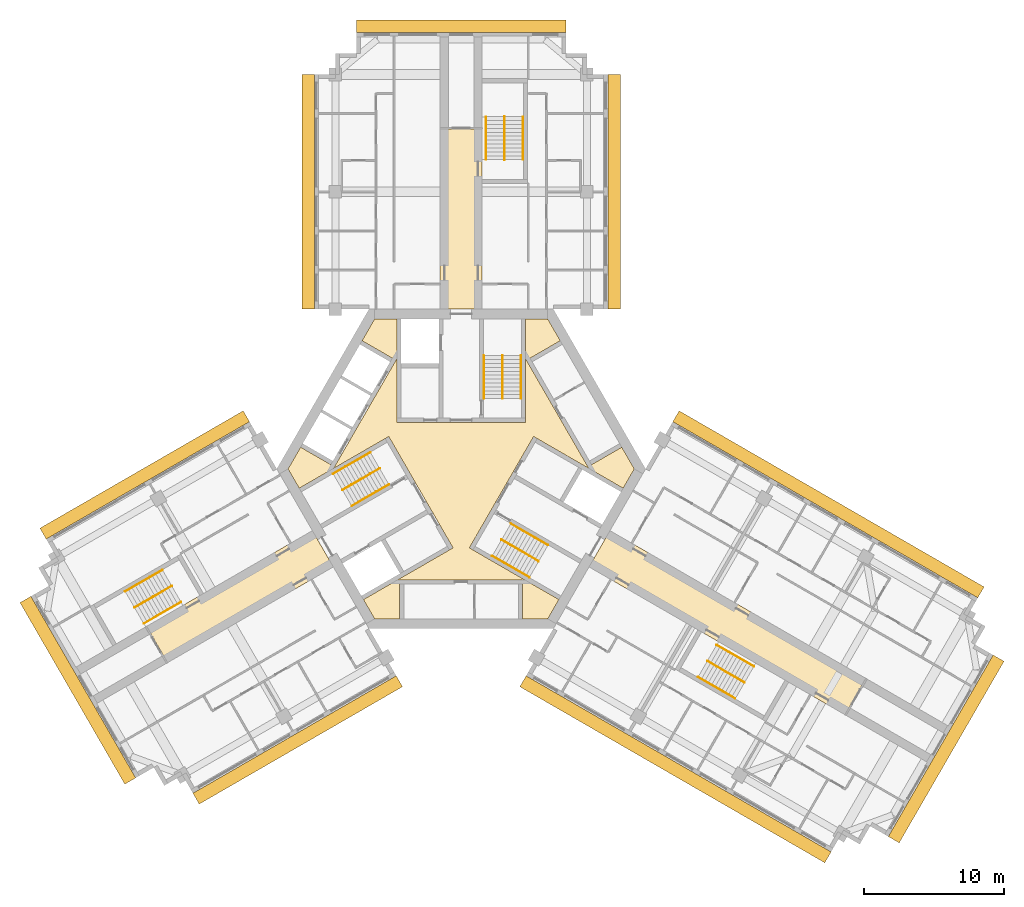
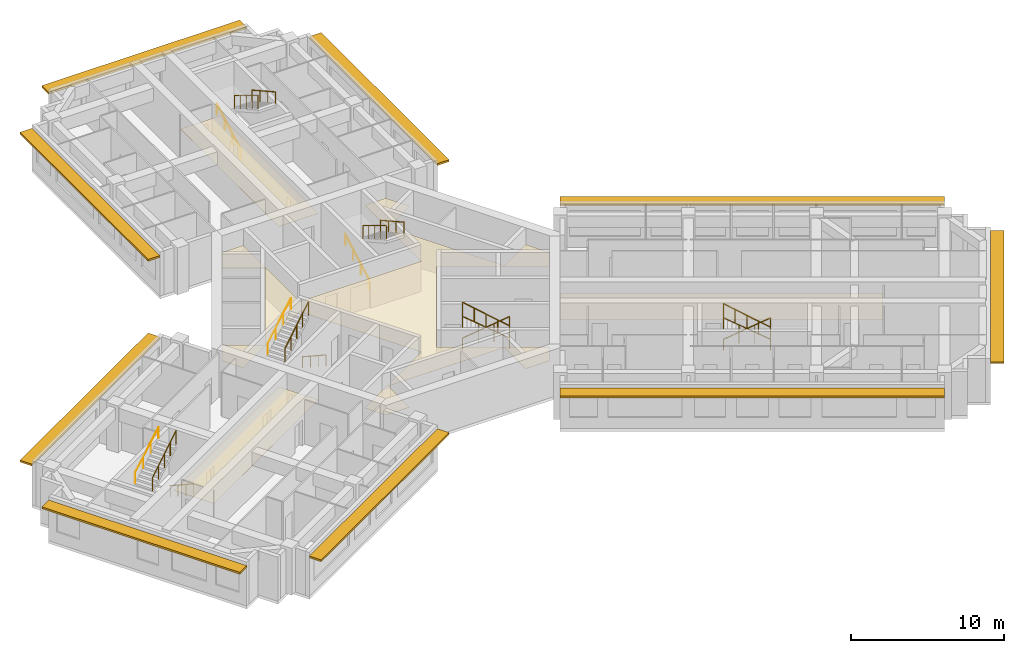
# One storey, part 11 of 11: 18 railings, 4 coverings, 3 shading devices.
"""IFC4 building model written with IfcOpenShell, lengths in metres."""

from ifc_helpers import new_model, si_unit, direction, frame, origin, origin_2d, place, context, subcontext, project, spatial, polyline, rectangle, circle, outline, extrude, material, layer, layer_set, type_object, element, save


model = new_model("IFC4")

# Units and contexts
model_context = context("Model", 3, precision=1e-05, world=origin(), true_north=direction((0.0, 1.0)))
body_context = subcontext(model_context, "Body", "Model", "MODEL_VIEW")
ifc_project = project(units=[si_unit("LENGTHUNIT", "METRE"), si_unit("AREAUNIT", "SQUARE_METRE"), si_unit("VOLUMEUNIT", "CUBIC_METRE"), si_unit("PLANEANGLEUNIT", "RADIAN"), si_unit("MASSUNIT", "GRAM", prefix="KILO")], contexts=[model_context])

# Site, building, storey
site_placement = place(None, origin())
site = spatial("IfcSite", under=ifc_project, at=site_placement, CompositionType="ELEMENT")
building_placement = place(site_placement, origin())
building = spatial("IfcBuilding", under=site, at=building_placement, Name="Impinga Residences", CompositionType="ELEMENT")
storey_placement = place(building_placement, frame((0.0, 0.0, 244.75)))
storey = spatial("IfcBuildingStorey", under=building, at=storey_placement, Name="L61", CompositionType="ELEMENT", Elevation=244.75)

# Coverings
ifc_material_1 = material(Name="Plasterboard 15 mm on steel hangers", Category="steel")
ifc_layer_1 = layer(ifc_material_1, 0.014892578125)
ifc_layer_set_1 = layer_set([ifc_layer_1], Name="Plasterboard 15 mm on steel hangers")
covering_type_1 = type_object("IfcCoveringType", Name="CL1 corridor ceiling, 15 mm plasterboard on hangers", PredefinedType="CEILING", material=ifc_layer_set_1)
covering_1_placement = place(storey_placement, frame((0.0, 0.0, 2.39990234375)))
element("IfcCovering", 1, at=covering_1_placement, inside=storey, type_object=covering_type_1, Name="Corridor ceiling CL1 L61-N00", PredefinedType="CEILING", context=body_context, shape_type="SweptSolid", body=[
    extrude(outline(polyline([(-1.5, 11.431640625), (1.5, 11.431640625), (1.5, 24.33154296875), (-1.5, 24.33154296875), (-1.5, 11.431640625)])), origin(), (0.0, 0.0, 1.0), 0.01513671875),
])
covering_2_placement = place(storey_placement, frame((0.0, 0.0, 2.39990234375)))
element("IfcCovering", 2, at=covering_2_placement, inside=storey, type_object=covering_type_1, Name="Corridor ceiling CL1 L61-W00", PredefinedType="CEILING", context=body_context, shape_type="SweptSolid", body=[
    extrude(outline(polyline([(-9.14990234375, -7.014892578125), (-10.64990234375, -4.416748046875), (-22.5146484375, -11.266845703125), (-21.0146484375, -13.86474609375), (-9.14990234375, -7.014892578125)])), origin(), (0.0, 0.0, 1.0), 0.01513671875),
])
covering_3_placement = place(storey_placement, frame((0.0, 0.0, 2.39990234375)))
element("IfcCovering", 3, at=covering_3_placement, inside=storey, type_object=covering_type_1, Name="Corridor ceiling CL1 L61-E00", PredefinedType="CEILING", context=body_context, shape_type="SweptSolid", body=[
    extrude(outline(polyline([(10.64990234375, -4.416748046875), (9.14990234375, -7.014892578125), (27.466552734375, -17.58984375), (28.966552734375, -14.99169921875), (10.64990234375, -4.416748046875)])), origin(), (0.0, 0.0, 1.0), 0.01513671875),
])
ifc_material_2 = material(Name="Mineral fibre tiles 20 mm on exposed grid", Category="mineral fibre")
ifc_layer_2 = layer(ifc_material_2, 0.02001953125)
ifc_layer_set_2 = layer_set([ifc_layer_2], Name="CL2 lift lobby ceiling, 20 mm mineral fibre tiles")
covering_type_2 = type_object("IfcCoveringType", Name="CL2 lift lobby ceiling, 20 mm mineral fibre tiles", PredefinedType="CEILING", material=ifc_layer_set_2)
covering_4_placement = place(storey_placement, frame((0.0, 0.0, 2.39990234375)))
element("IfcCovering", 4, at=covering_4_placement, inside=storey, type_object=covering_type_2, Name="Lift lobby ceiling CL2 L61-C01", PredefinedType="CEILING", context=body_context, shape_type="SweptSolid", body=[
    extrude(outline(polyline([(12.3916015625, 0.0), (11.59375, -1.382080078125), (5.183837890625, 2.318603515625), (0.583984375, -5.648681640625), (6.993896484375, -9.349365234375), (6.19580078125, -10.7314453125), (4.39990234375, -10.7314453125), (4.39990234375, -7.931640625), (-4.39990234375, -7.931640625), (-4.39990234375, -10.7314453125), (-6.19580078125, -10.7314453125), (-6.993896484375, -9.349365234375), (-0.583984375, -5.648681640625), (-5.183837890625, 2.318603515625), (-11.59375, -1.382080078125), (-12.3916015625, 0.0), (-11.493896484375, 1.55517578125), (-9.06884765625, 0.1552734375), (-4.6689453125, 7.7763671875), (-7.09375, 9.17626953125), (-6.19580078125, 10.7314453125), (-4.60009765625, 10.7314453125), (-4.60009765625, 3.330078125), (4.60009765625, 3.330078125), (4.60009765625, 10.7314453125), (6.19580078125, 10.7314453125), (7.09375, 9.17626953125), (4.6689453125, 7.7763671875), (9.06884765625, 0.1552734375), (11.493896484375, 1.55517578125), (12.3916015625, 0.0)])), origin(), (0.0, 0.0, 1.0), 0.02001953125),
])

# Railings
ifc_material_3 = material(Name="Steel guard, powder coated", Category="steel")
railing_type_1 = type_object("IfcRailingType", Name="GR1 stair guard 1100", PredefinedType="GUARDRAIL", material=ifc_material_3)
railing_1_placement = place(storey_placement, frame((2.949951171875, 8.110107421875, 1.875)))
element("IfcRailing", 5, at=railing_1_placement, inside=storey, type_object=railing_type_1, Name="Stair guard GR1 ST1 L61", PredefinedType="GUARDRAIL", context=body_context, shape_type="SweptSolid", body=[
    extrude(circle(Radius=0.02392578125, at=origin_2d()), frame((0.0, 0.0, 1.076171875), z_axis=(0.0, -0.854177636135, 0.519981313056), x_axis=(1.0, 0.0, 0.0)), (0.0, 0.0, 1.0), 3.60595703125),
    extrude(circle(Radius=0.02099609375, at=origin_2d()), origin(), (0.0, 0.0, 1.0), 1.052001953125),
    extrude(circle(Radius=0.02099609375, at=origin_2d()), frame((0.0, -0.77001953125, 0.46875)), (0.0, 0.0, 1.0), 1.052001953125),
    extrude(circle(Radius=0.02099609375, at=origin_2d()), frame((0.0, -1.5400390625, 0.9375)), (0.0, 0.0, 1.0), 1.052001953125),
    extrude(circle(Radius=0.02099609375, at=origin_2d()), frame((0.0, -2.31005859375, 1.40625)), (0.0, 0.0, 1.0), 1.052001953125),
    extrude(circle(Radius=0.02099609375, at=origin_2d()), frame((0.0, -3.080078125, 1.875)), (0.0, 0.0, 1.0), 1.052001953125),
])
railing_2_placement = place(storey_placement, frame((-8.49853515625, -1.500244140625, 1.875)))
element("IfcRailing", 6, at=railing_2_placement, inside=storey, type_object=railing_type_1, Name="Stair guard GR1 ST2 L61", PredefinedType="GUARDRAIL", context=body_context, shape_type="SweptSolid", body=[
    extrude(circle(Radius=0.02392578125, at=origin_2d()), frame((0.0, 0.0, 1.076171875), z_axis=(0.739746383972, 0.427084037168, 0.519975492303), x_axis=(-0.499992328818, 0.866029832698, 0.0)), (0.0, 0.0, 1.0), 3.60595703125),
    extrude(circle(Radius=0.02099609375, at=origin_2d()), origin(), (0.0, 0.0, 1.0), 1.052001953125),
    extrude(circle(Radius=0.02099609375, at=origin_2d()), frame((0.6669921875, 0.385009765625, 0.46875)), (0.0, 0.0, 1.0), 1.052001953125),
    extrude(circle(Radius=0.02099609375, at=origin_2d()), frame((1.333740234375, 0.77001953125, 0.9375)), (0.0, 0.0, 1.0), 1.052001953125),
    extrude(circle(Radius=0.02099609375, at=origin_2d()), frame((2.00048828125, 1.155029296875, 1.40625)), (0.0, 0.0, 1.0), 1.052001953125),
    extrude(circle(Radius=0.02099609375, at=origin_2d()), frame((2.66748046875, 1.5400390625, 1.875)), (0.0, 0.0, 1.0), 1.052001953125),
])
railing_3_placement = place(storey_placement, frame((5.548583984375, -6.60986328125, 1.875)))
element("IfcRailing", 7, at=railing_3_placement, inside=storey, type_object=railing_type_1, Name="Stair guard GR1 ST3 L61", PredefinedType="GUARDRAIL", context=body_context, shape_type="SweptSolid", body=[
    extrude(circle(Radius=0.02392578125, at=origin_2d()), frame((0.0, 0.0, 1.076171875), z_axis=(-0.739746383972, 0.427084037168, 0.519975492303), x_axis=(-0.499992328818, -0.866029832698, 0.0)), (0.0, 0.0, 1.0), 3.60595703125),
    extrude(circle(Radius=0.02099609375, at=origin_2d()), origin(), (0.0, 0.0, 1.0), 1.052001953125),
    extrude(circle(Radius=0.02099609375, at=origin_2d()), frame((-0.6669921875, 0.385009765625, 0.46875)), (0.0, 0.0, 1.0), 1.052001953125),
    extrude(circle(Radius=0.02099609375, at=origin_2d()), frame((-1.333740234375, 0.77001953125, 0.9375)), (0.0, 0.0, 1.0), 1.052001953125),
    extrude(circle(Radius=0.02099609375, at=origin_2d()), frame((-2.00048828125, 1.155029296875, 1.40625)), (0.0, 0.0, 1.0), 1.052001953125),
    extrude(circle(Radius=0.02099609375, at=origin_2d()), frame((-2.66748046875, 1.5400390625, 1.875)), (0.0, 0.0, 1.0), 1.052001953125),
])
railing_4_placement = place(storey_placement, frame((3.10009765625, 25.21142578125, 1.875)))
element("IfcRailing", 8, at=railing_4_placement, inside=storey, type_object=railing_type_1, Name="Stair guard GR1 WS1 L61", PredefinedType="GUARDRAIL", context=body_context, shape_type="SweptSolid", body=[
    extrude(circle(Radius=0.02392578125, at=origin_2d()), frame((0.0, 0.0, 1.076171875), z_axis=(0.0, -0.854159328187, 0.520011386482), x_axis=(1.0, 0.0, 0.0)), (0.0, 0.0, 1.0), 3.605712890625),
    extrude(circle(Radius=0.02099609375, at=origin_2d()), origin(), (0.0, 0.0, 1.0), 1.052001953125),
    extrude(circle(Radius=0.02099609375, at=origin_2d()), frame((0.0, -0.77001953125, 0.46875)), (0.0, 0.0, 1.0), 1.052001953125),
    extrude(circle(Radius=0.02099609375, at=origin_2d()), frame((0.0, -1.5400390625, 0.9375)), (0.0, 0.0, 1.0), 1.052001953125),
    extrude(circle(Radius=0.02099609375, at=origin_2d()), frame((0.0, -2.309814453125, 1.40625)), (0.0, 0.0, 1.0), 1.052001953125),
    extrude(circle(Radius=0.02099609375, at=origin_2d()), frame((0.0, -3.079833984375, 1.875)), (0.0, 0.0, 1.0), 1.052001953125),
])
railing_5_placement = place(storey_placement, frame((-23.3837890625, -9.921142578125, 1.875)))
element("IfcRailing", 9, at=railing_5_placement, inside=storey, type_object=railing_type_1, Name="Stair guard GR1 WS2 L61", PredefinedType="GUARDRAIL", context=body_context, shape_type="SweptSolid", body=[
    extrude(circle(Radius=0.02392578125, at=origin_2d()), frame((0.0, 0.0, 1.076171875), z_axis=(0.739715726454, 0.427105428144, 0.52000153585), x_axis=(-0.500026652407, 0.866010015463, 0.0)), (0.0, 0.0, 1.0), 3.605712890625),
    extrude(circle(Radius=0.02099609375, at=origin_2d()), origin(), (0.0, 0.0, 1.0), 1.052001953125),
    extrude(circle(Radius=0.02099609375, at=origin_2d()), frame((0.666748046875, 0.385009765625, 0.46875)), (0.0, 0.0, 1.0), 1.052001953125),
    extrude(circle(Radius=0.02099609375, at=origin_2d()), frame((1.33349609375, 0.77001953125, 0.9375)), (0.0, 0.0, 1.0), 1.052001953125),
    extrude(circle(Radius=0.02099609375, at=origin_2d()), frame((2.00048828125, 1.155029296875, 1.40625)), (0.0, 0.0, 1.0), 1.052001953125),
    extrude(circle(Radius=0.02099609375, at=origin_2d()), frame((2.667236328125, 1.5400390625, 1.875)), (0.0, 0.0, 1.0), 1.052001953125),
])
railing_6_placement = place(storey_placement, frame((20.283935546875, -15.29052734375, 1.875)))
element("IfcRailing", 10, at=railing_6_placement, inside=storey, type_object=railing_type_1, Name="Stair guard GR1 WS3 L61", PredefinedType="GUARDRAIL", context=body_context, shape_type="SweptSolid", body=[
    extrude(circle(Radius=0.02392578125, at=origin_2d()), frame((0.0, 0.0, 1.076171875), z_axis=(-0.739746383972, 0.427084037168, 0.519975492303), x_axis=(-0.499992328818, -0.866029832698, 0.0)), (0.0, 0.0, 1.0), 3.60595703125),
    extrude(circle(Radius=0.02099609375, at=origin_2d()), origin(), (0.0, 0.0, 1.0), 1.052001953125),
    extrude(circle(Radius=0.02099609375, at=origin_2d()), frame((-0.6669921875, 0.385009765625, 0.46875)), (0.0, 0.0, 1.0), 1.052001953125),
    extrude(circle(Radius=0.02099609375, at=origin_2d()), frame((-1.333740234375, 0.77001953125, 0.9375)), (0.0, 0.0, 1.0), 1.052001953125),
    extrude(circle(Radius=0.02099609375, at=origin_2d()), frame((-2.00048828125, 1.155029296875, 1.40625)), (0.0, 0.0, 1.0), 1.052001953125),
    extrude(circle(Radius=0.02099609375, at=origin_2d()), frame((-2.66748046875, 1.5400390625, 1.875)), (0.0, 0.0, 1.0), 1.052001953125),
])
ifc_material_4 = material(Name="Steel handrail tube 42 mm, powder coated", Category="steel")
railing_type_2 = type_object("IfcRailingType", Name="HR1 stair handrail, 42 mm steel tube, 900 above the pitch line", PredefinedType="HANDRAIL", material=ifc_material_4)
railing_7_placement = place(storey_placement, frame((1.62109375, 5.030029296875, 0.15625)))
element("IfcRailing", 11, at=railing_7_placement, inside=storey, type_object=railing_type_2, Name="Stair handrail HR1 ST1 L61", PredefinedType="HANDRAIL", context=body_context, shape_type="SweptSolid", body=[
    extrude(circle(Radius=0.02099609375, at=origin_2d()), frame((0.0, 0.0, 0.87890625), z_axis=(0.0, 0.873241540666, 0.487287606713), x_axis=(-1.0, 0.0, 0.0)), (0.0, 0.0, 1.0), 3.527099609375),
    extrude(circle(Radius=0.012451171875, at=origin_2d()), origin(), (0.0, 0.0, 1.0), 0.85791015625),
    extrude(circle(Radius=0.012451171875, at=origin_2d()), frame((0.0, 1.026611328125, 0.572998046875)), (0.0, 0.0, 1.0), 0.85791015625),
    extrude(circle(Radius=0.012451171875, at=origin_2d()), frame((0.0, 2.053466796875, 1.145751953125)), (0.0, 0.0, 1.0), 0.85791015625),
    extrude(circle(Radius=0.012451171875, at=origin_2d()), frame((0.0, 3.080078125, 1.71875)), (0.0, 0.0, 1.0), 0.85791015625),
])
railing_8_placement = place(storey_placement, frame((4.279052734375, 8.110107421875, 2.03125)))
element("IfcRailing", 12, at=railing_8_placement, inside=storey, type_object=railing_type_2, Name="Stair handrail HR1 ST1 L61", PredefinedType="HANDRAIL", context=body_context, shape_type="SweptSolid", body=[
    extrude(circle(Radius=0.02099609375, at=origin_2d()), frame((0.0, 0.0, 0.87890625), z_axis=(0.0, -0.873241540666, 0.487287606713), x_axis=(1.0, 0.0, 0.0)), (0.0, 0.0, 1.0), 3.527099609375),
    extrude(circle(Radius=0.012451171875, at=origin_2d()), origin(), (0.0, 0.0, 1.0), 0.85791015625),
    extrude(circle(Radius=0.012451171875, at=origin_2d()), frame((0.0, -1.026611328125, 0.572998046875)), (0.0, 0.0, 1.0), 0.85791015625),
    extrude(circle(Radius=0.012451171875, at=origin_2d()), frame((0.0, -2.053466796875, 1.145751953125)), (0.0, 0.0, 1.0), 0.85791015625),
    extrude(circle(Radius=0.012451171875, at=origin_2d()), frame((0.0, -3.080078125, 1.71875)), (0.0, 0.0, 1.0), 0.85791015625),
])
railing_9_placement = place(storey_placement, frame((-5.16650390625, -1.111083984375, 0.15625)))
element("IfcRailing", 13, at=railing_9_placement, inside=storey, type_object=railing_type_2, Name="Stair handrail HR1 ST2 L61", PredefinedType="HANDRAIL", context=body_context, shape_type="SweptSolid", body=[
    extrude(circle(Radius=0.02099609375, at=origin_2d()), frame((0.0, 0.0, 0.87890625), z_axis=(-0.756255980417, -0.436615662133, 0.487281905742), x_axis=(0.499992328818, -0.866029832698, 0.0)), (0.0, 0.0, 1.0), 3.527099609375),
    extrude(circle(Radius=0.012451171875, at=origin_2d()), origin(), (0.0, 0.0, 1.0), 0.85791015625),
    extrude(circle(Radius=0.012451171875, at=origin_2d()), frame((-0.88916015625, -0.513427734375, 0.572998046875)), (0.0, 0.0, 1.0), 0.85791015625),
    extrude(circle(Radius=0.012451171875, at=origin_2d()), frame((-1.7783203125, -1.026611328125, 1.145751953125)), (0.0, 0.0, 1.0), 0.85791015625),
    extrude(circle(Radius=0.012451171875, at=origin_2d()), frame((-2.66748046875, -1.5400390625, 1.71875)), (0.0, 0.0, 1.0), 0.85791015625),
])
railing_10_placement = place(storey_placement, frame((-9.1630859375, -0.349365234375, 2.03125)))
element("IfcRailing", 14, at=railing_10_placement, inside=storey, type_object=railing_type_2, Name="Stair handrail HR1 ST2 L61", PredefinedType="HANDRAIL", context=body_context, shape_type="SweptSolid", body=[
    extrude(circle(Radius=0.02099609375, at=origin_2d()), frame((0.0, 0.0, 0.87890625), z_axis=(0.756255980417, 0.436615662133, 0.487281905742), x_axis=(-0.499992328818, 0.866029832698, 0.0)), (0.0, 0.0, 1.0), 3.527099609375),
    extrude(circle(Radius=0.012451171875, at=origin_2d()), origin(), (0.0, 0.0, 1.0), 0.85791015625),
    extrude(circle(Radius=0.012451171875, at=origin_2d()), frame((0.88916015625, 0.513427734375, 0.572998046875)), (0.0, 0.0, 1.0), 0.85791015625),
    extrude(circle(Radius=0.012451171875, at=origin_2d()), frame((1.7783203125, 1.026611328125, 1.145751953125)), (0.0, 0.0, 1.0), 0.85791015625),
    extrude(circle(Radius=0.012451171875, at=origin_2d()), frame((2.66748046875, 1.5400390625, 1.71875)), (0.0, 0.0, 1.0), 0.85791015625),
])
railing_11_placement = place(storey_placement, frame((3.545654296875, -3.9189453125, 0.15625)))
element("IfcRailing", 15, at=railing_11_placement, inside=storey, type_object=railing_type_2, Name="Stair handrail HR1 ST3 L61", PredefinedType="HANDRAIL", context=body_context, shape_type="SweptSolid", body=[
    extrude(circle(Radius=0.02099609375, at=origin_2d()), frame((0.0, 0.0, 0.87890625), z_axis=(0.756249203677, -0.436582492228, 0.487322141317), x_axis=(0.499967199496, 0.866044340336, 0.0)), (0.0, 0.0, 1.0), 3.52685546875),
    extrude(circle(Radius=0.012451171875, at=origin_2d()), origin(), (0.0, 0.0, 1.0), 0.85791015625),
    extrude(circle(Radius=0.012451171875, at=origin_2d()), frame((0.88916015625, -0.51318359375, 0.572998046875)), (0.0, 0.0, 1.0), 0.85791015625),
    extrude(circle(Radius=0.012451171875, at=origin_2d()), frame((1.778076171875, -1.026611328125, 1.145751953125)), (0.0, 0.0, 1.0), 0.85791015625),
    extrude(circle(Radius=0.012451171875, at=origin_2d()), frame((2.667236328125, -1.539794921875, 1.71875)), (0.0, 0.0, 1.0), 0.85791015625),
])
railing_12_placement = place(storey_placement, frame((4.884033203125, -7.7607421875, 2.03125)))
element("IfcRailing", 16, at=railing_12_placement, inside=storey, type_object=railing_type_2, Name="Stair handrail HR1 ST3 L61", PredefinedType="HANDRAIL", context=body_context, shape_type="SweptSolid", body=[
    extrude(circle(Radius=0.02099609375, at=origin_2d()), frame((0.0, 0.0, 0.87890625), z_axis=(-0.756255980417, 0.436615662133, 0.487281905742), x_axis=(-0.499992328818, -0.866029832698, 0.0)), (0.0, 0.0, 1.0), 3.527099609375),
    extrude(circle(Radius=0.012451171875, at=origin_2d()), origin(), (0.0, 0.0, 1.0), 0.85791015625),
    extrude(circle(Radius=0.012451171875, at=origin_2d()), frame((-0.88916015625, 0.513427734375, 0.572998046875)), (0.0, 0.0, 1.0), 0.85791015625),
    extrude(circle(Radius=0.012451171875, at=origin_2d()), frame((-1.7783203125, 1.026611328125, 1.145751953125)), (0.0, 0.0, 1.0), 0.85791015625),
    extrude(circle(Radius=0.012451171875, at=origin_2d()), frame((-2.66748046875, 1.5400390625, 1.71875)), (0.0, 0.0, 1.0), 0.85791015625),
])
railing_13_placement = place(storey_placement, frame((1.77099609375, 22.131591796875, 0.15625)))
element("IfcRailing", 17, at=railing_13_placement, inside=storey, type_object=railing_type_2, Name="Stair handrail HR1 WS1 L61", PredefinedType="HANDRAIL", context=body_context, shape_type="SweptSolid", body=[
    extrude(circle(Radius=0.02099609375, at=origin_2d()), frame((0.0, 0.0, 0.87890625), z_axis=(0.0, 0.873225103656, 0.487317061414), x_axis=(-1.0, 0.0, 0.0)), (0.0, 0.0, 1.0), 3.52685546875),
    extrude(circle(Radius=0.012451171875, at=origin_2d()), origin(), (0.0, 0.0, 1.0), 0.85791015625),
    extrude(circle(Radius=0.012451171875, at=origin_2d()), frame((0.0, 1.026611328125, 0.572998046875)), (0.0, 0.0, 1.0), 0.85791015625),
    extrude(circle(Radius=0.012451171875, at=origin_2d()), frame((0.0, 2.05322265625, 1.145751953125)), (0.0, 0.0, 1.0), 0.85791015625),
    extrude(circle(Radius=0.012451171875, at=origin_2d()), frame((0.0, 3.079833984375, 1.71875)), (0.0, 0.0, 1.0), 0.85791015625),
])
railing_14_placement = place(storey_placement, frame((4.428955078125, 25.21142578125, 2.03125)))
element("IfcRailing", 18, at=railing_14_placement, inside=storey, type_object=railing_type_2, Name="Stair handrail HR1 WS1 L61", PredefinedType="HANDRAIL", context=body_context, shape_type="SweptSolid", body=[
    extrude(circle(Radius=0.02099609375, at=origin_2d()), frame((0.0, 0.0, 0.87890625), z_axis=(0.0, -0.873225103656, 0.487317061414), x_axis=(1.0, 0.0, 0.0)), (0.0, 0.0, 1.0), 3.52685546875),
    extrude(circle(Radius=0.012451171875, at=origin_2d()), origin(), (0.0, 0.0, 1.0), 0.85791015625),
    extrude(circle(Radius=0.012451171875, at=origin_2d()), frame((0.0, -1.026611328125, 0.572998046875)), (0.0, 0.0, 1.0), 0.85791015625),
    extrude(circle(Radius=0.012451171875, at=origin_2d()), frame((0.0, -2.05322265625, 1.145751953125)), (0.0, 0.0, 1.0), 0.85791015625),
    extrude(circle(Radius=0.012451171875, at=origin_2d()), frame((0.0, -3.079833984375, 1.71875)), (0.0, 0.0, 1.0), 0.85791015625),
])
railing_15_placement = place(storey_placement, frame((-20.052001953125, -9.531982421875, 0.15625)))
element("IfcRailing", 19, at=railing_15_placement, inside=storey, type_object=railing_type_2, Name="Stair handrail HR1 WS2 L61", PredefinedType="HANDRAIL", context=body_context, shape_type="SweptSolid", body=[
    extrude(circle(Radius=0.02099609375, at=origin_2d()), frame((0.0, 0.0, 0.87890625), z_axis=(-0.756226348243, -0.436638517594, 0.487307413422), x_axis=(0.500026652407, -0.866010015463, 0.0)), (0.0, 0.0, 1.0), 3.527099609375),
    extrude(circle(Radius=0.012451171875, at=origin_2d()), origin(), (0.0, 0.0, 1.0), 0.85791015625),
    extrude(circle(Radius=0.012451171875, at=origin_2d()), frame((-0.88916015625, -0.513427734375, 0.572998046875)), (0.0, 0.0, 1.0), 0.85791015625),
    extrude(circle(Radius=0.012451171875, at=origin_2d()), frame((-1.778076171875, -1.026611328125, 1.145751953125)), (0.0, 0.0, 1.0), 0.85791015625),
    extrude(circle(Radius=0.012451171875, at=origin_2d()), frame((-2.667236328125, -1.5400390625, 1.71875)), (0.0, 0.0, 1.0), 0.85791015625),
])
railing_16_placement = place(storey_placement, frame((-24.04833984375, -8.77001953125, 2.03125)))
element("IfcRailing", 20, at=railing_16_placement, inside=storey, type_object=railing_type_2, Name="Stair handrail HR1 WS2 L61", PredefinedType="HANDRAIL", context=body_context, shape_type="SweptSolid", body=[
    extrude(circle(Radius=0.02099609375, at=origin_2d()), frame((0.0, 0.0, 0.87890625), z_axis=(0.756278834354, 0.436559638319, 0.487296631324), x_axis=(-0.499932877268, 0.866064153644, 0.0)), (0.0, 0.0, 1.0), 3.527099609375),
    extrude(circle(Radius=0.012451171875, at=origin_2d()), origin(), (0.0, 0.0, 1.0), 0.85791015625),
    extrude(circle(Radius=0.012451171875, at=origin_2d()), frame((0.88916015625, 0.51318359375, 0.572998046875)), (0.0, 0.0, 1.0), 0.85791015625),
    extrude(circle(Radius=0.012451171875, at=origin_2d()), frame((1.7783203125, 1.026611328125, 1.145751953125)), (0.0, 0.0, 1.0), 0.85791015625),
    extrude(circle(Radius=0.012451171875, at=origin_2d()), frame((2.66748046875, 1.539794921875, 1.71875)), (0.0, 0.0, 1.0), 0.85791015625),
])
railing_17_placement = place(storey_placement, frame((18.281005859375, -12.599609375, 0.15625)))
element("IfcRailing", 21, at=railing_17_placement, inside=storey, type_object=railing_type_2, Name="Stair handrail HR1 WS3 L61", PredefinedType="HANDRAIL", context=body_context, shape_type="SweptSolid", body=[
    extrude(circle(Radius=0.02099609375, at=origin_2d()), frame((0.0, 0.0, 0.87890625), z_axis=(0.756249203677, -0.436582492228, 0.487322141317), x_axis=(0.499967199496, 0.866044340336, 0.0)), (0.0, 0.0, 1.0), 3.52685546875),
    extrude(circle(Radius=0.012451171875, at=origin_2d()), origin(), (0.0, 0.0, 1.0), 0.85791015625),
    extrude(circle(Radius=0.012451171875, at=origin_2d()), frame((0.88916015625, -0.51318359375, 0.572998046875)), (0.0, 0.0, 1.0), 0.85791015625),
    extrude(circle(Radius=0.012451171875, at=origin_2d()), frame((1.778076171875, -1.026611328125, 1.145751953125)), (0.0, 0.0, 1.0), 0.85791015625),
    extrude(circle(Radius=0.012451171875, at=origin_2d()), frame((2.667236328125, -1.539794921875, 1.71875)), (0.0, 0.0, 1.0), 0.85791015625),
])
railing_18_placement = place(storey_placement, frame((19.619384765625, -16.44140625, 2.03125)))
element("IfcRailing", 22, at=railing_18_placement, inside=storey, type_object=railing_type_2, Name="Stair handrail HR1 WS3 L61", PredefinedType="HANDRAIL", context=body_context, shape_type="SweptSolid", body=[
    extrude(circle(Radius=0.02099609375, at=origin_2d()), frame((0.0, 0.0, 0.87890625), z_axis=(-0.756255980417, 0.436615662133, 0.487281905742), x_axis=(-0.499992328818, -0.866029832698, 0.0)), (0.0, 0.0, 1.0), 3.527099609375),
    extrude(circle(Radius=0.012451171875, at=origin_2d()), origin(), (0.0, 0.0, 1.0), 0.85791015625),
    extrude(circle(Radius=0.012451171875, at=origin_2d()), frame((-0.88916015625, 0.513427734375, 0.572998046875)), (0.0, 0.0, 1.0), 0.85791015625),
    extrude(circle(Radius=0.012451171875, at=origin_2d()), frame((-1.7783203125, 1.026611328125, 1.145751953125)), (0.0, 0.0, 1.0), 0.85791015625),
    extrude(circle(Radius=0.012451171875, at=origin_2d()), frame((-2.66748046875, 1.5400390625, 1.71875)), (0.0, 0.0, 1.0), 0.85791015625),
])

# Shading devices
ifc_material_5 = material(Name="Terracotta sunshade blades on aluminium brackets", Category="masonry")
ifc_layer_3 = layer(ifc_material_5, 0.14990234375)
ifc_layer_set_3 = layer_set([ifc_layer_3], Name="SS1 SUNSHADE terracotta sunshade band 900")
shading_device_type = type_object("IfcShadingDeviceType", Name="SS1 SUNSHADE terracotta sunshade band 900", PredefinedType="USERDEFINED", material=ifc_layer_set_3)
shading_device_1_placement = place(storey_placement, frame((-10.949951171875, 19.83154296875, 3.10009765625), z_axis=(0.0, 0.0, 1.0), x_axis=(0.0, 1.0, 0.0)))
element("IfcShadingDevice", 23, at=shading_device_1_placement, inside=storey, type_object=shading_device_type, Name="SUNSHADE band L61 NORTH WING", ObjectType="SUNSHADE", PredefinedType="USERDEFINED", context=body_context, shape_type="SweptSolid", body=[
    extrude(rectangle(XDim=16.800048828125, YDim=0.89990234375, at=origin_2d()), origin(), (0.0, 0.0, 1.0), 0.14990234375),
    extrude(rectangle(XDim=15.0, YDim=0.89990234375, at=origin_2d()), frame((11.85009765625, -10.949951171875, 0.0), z_axis=(0.0, 0.0, 1.0), x_axis=(0.0, -1.0, 0.0)), (0.0, 0.0, 1.0), 0.14990234375),
    extrude(rectangle(XDim=16.800048828125, YDim=0.89990234375, at=origin_2d()), frame((0.0, -21.89990234375, 0.0), z_axis=(0.0, 0.0, 1.0), x_axis=(-1.0, 0.0, 0.0)), (0.0, 0.0, 1.0), 0.14990234375),
])
shading_device_2_placement = place(storey_placement, frame((-11.69970703125, -19.398681640625, 3.10009765625), z_axis=(0.0, 0.0, 1.0), x_axis=(-0.866025403784, -0.5, 0.0)))
element("IfcShadingDevice", 24, at=shading_device_2_placement, inside=storey, type_object=shading_device_type, Name="SUNSHADE band L61 WEST WING", ObjectType="SUNSHADE", PredefinedType="USERDEFINED", context=body_context, shape_type="SweptSolid", body=[
    extrude(rectangle(XDim=16.800048828125, YDim=0.89990234375, at=origin_2d()), origin(), (0.0, 0.0, 1.0), 0.14990234375),
    extrude(rectangle(XDim=15.0, YDim=0.89990234375, at=origin_2d()), frame((11.849853515625, -10.949951171875, 0.0), z_axis=(0.0, 0.0, 1.0), x_axis=(0.0, -1.0, 0.0)), (0.0, 0.0, 1.0), 0.14990234375),
    extrude(rectangle(XDim=16.800048828125, YDim=0.89990234375, at=origin_2d()), frame((0.0, -21.89990234375, 0.0), z_axis=(0.0, 0.0, 1.0), x_axis=(-1.0, 0.0, 0.0)), (0.0, 0.0, 1.0), 0.14990234375),
])
shading_device_3_placement = place(storey_placement, frame((34.711669921875, -20.040771484375, 3.10009765625), z_axis=(0.0, 0.0, 1.0), x_axis=(-0.5, -0.866025403784, 0.0)))
element("IfcShadingDevice", 25, at=shading_device_3_placement, inside=storey, type_object=shading_device_type, Name="SUNSHADE band L61 EAST WING", ObjectType="SUNSHADE", PredefinedType="USERDEFINED", context=body_context, shape_type="SweptSolid", body=[
    extrude(rectangle(XDim=15.0, YDim=0.89990234375, at=origin_2d()), origin(), (0.0, 0.0, 1.0), 0.14990234375),
    extrude(rectangle(XDim=25.199951171875, YDim=0.89990234375, at=origin_2d()), frame((10.949951171875, -16.050048828125, 0.0), z_axis=(0.0, 0.0, 1.0), x_axis=(0.0, -1.0, 0.0)), (0.0, 0.0, 1.0), 0.14990234375),
    extrude(rectangle(XDim=25.199951171875, YDim=0.89990234375, at=origin_2d()), frame((-10.949951171875, -16.050048828125, 0.0), z_axis=(0.0, 0.0, 1.0), x_axis=(0.0, 1.0, 0.0)), (0.0, 0.0, 1.0), 0.14990234375),
])

save(model, "model.ifc")
